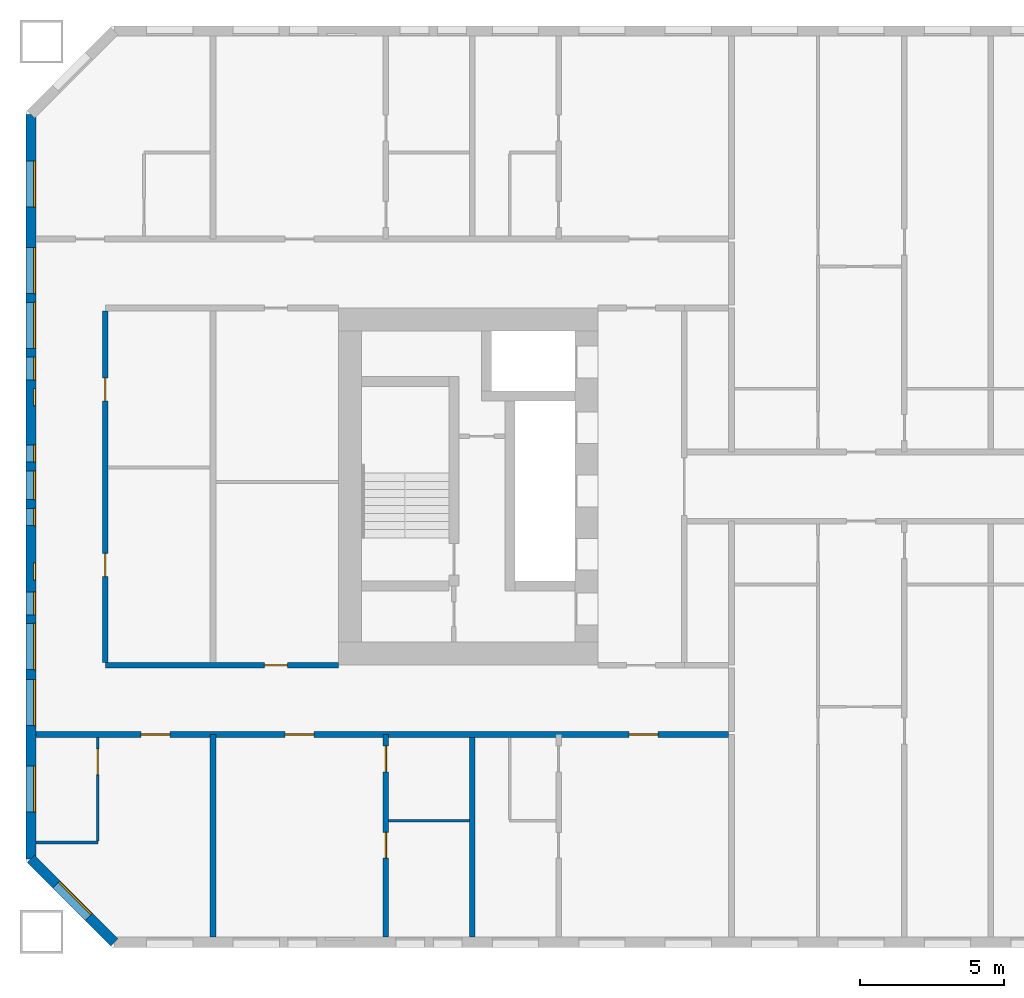
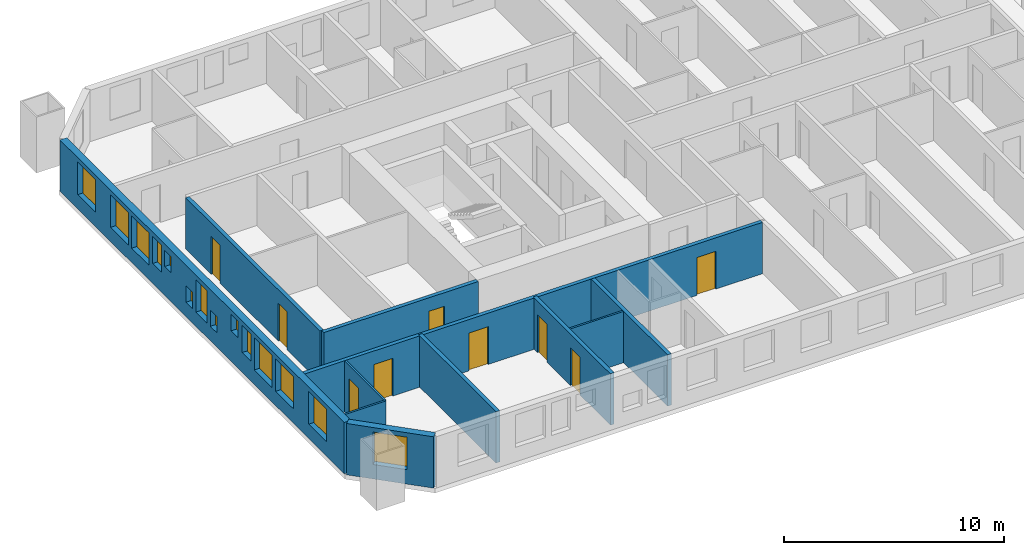
# One storey, part 2 of 17: 14 windows, 11 walls, 9 doors, 23 openings.
"""IFC4 building model written with IfcOpenShell, lengths in metres."""

from ifc_helpers import new_model, si_unit, direction, frame, frame_2d, origin, place, context, subcontext, project, spatial, rectangle, extrude, material, layer, layer_set, type_object, element, fill, save


model = new_model("IFC4")

# Units and contexts
model_context = context("Model", 3, precision=1e-05, world=origin(), true_north=direction((0.0, 1.0)))
body_context = subcontext(model_context, "Body", "Model", "MODEL_VIEW")
ifc_project = project(units=[si_unit("LENGTHUNIT", "METRE"), si_unit("AREAUNIT", "SQUARE_METRE"), si_unit("VOLUMEUNIT", "CUBIC_METRE"), si_unit("PLANEANGLEUNIT", "RADIAN"), si_unit("MASSUNIT", "GRAM", prefix="KILO")], contexts=[model_context])

# Site, building, storey
site_placement = place(None, origin())
site = spatial("IfcSite", under=ifc_project, at=site_placement, CompositionType="ELEMENT")
building_placement = place(site_placement, origin())
building = spatial("IfcBuilding", under=site, at=building_placement, Name="Tuart Gate Housing", CompositionType="ELEMENT")
storey_placement = place(building_placement, frame((0.0, 0.0, 50.5)))
storey = spatial("IfcBuildingStorey", under=building, at=storey_placement, Name="L13", CompositionType="ELEMENT", Elevation=50.5)

# Wall, opening, window
ifc_material_1 = material(Name="Brick", Category="masonry")
ifc_layer_1 = layer(ifc_material_1, 0.360107421875)
ifc_layer_set_1 = layer_set([ifc_layer_1], Name="Brick pier and spandrel wall 360")
wall_type_1 = type_object("IfcWallType", Name="Brick pier and spandrel wall 360", PredefinedType="STANDARD", material=ifc_layer_set_1)
wall_1_placement = place(storey_placement, frame((21.679931640625, 57.07470703125, 0.0), z_axis=(0.0, 0.0, 1.0), x_axis=(0.707106781187, -0.707106781187, 0.0)))
wall_1 = element("IfcWall", 1, at=wall_1_placement, inside=storey, type_object=wall_type_1, Name="External wall A-SW L13", PredefinedType="STANDARD", context=body_context, shape_type="SweptSolid", body=[
    extrude(rectangle(XDim=4.09375, YDim=0.360107421875, at=frame_2d((2.046875, 0.0))), origin(), (0.0, 0.0, 1.0), 2.85009765625),
])
opening_1_placement = place(wall_1_placement, frame((1.2470703125, 0.0, 0.800048828125)))
opening_1 = element("IfcOpeningElement", 2, at=opening_1_placement, cuts=wall_1, Name="Opening W1", PredefinedType="OPENING", context=body_context, shape_type="SweptSolid", body=[
    extrude(rectangle(XDim=1.60009765625, YDim=1.800048828125, at=frame_2d((0.800048828125, 0.89990234375))), frame((0.0, 0.18994140625, 0.0), z_axis=(0.0, -1.0, 0.0), x_axis=(1.0, 0.0, 0.0)), (0.0, 0.0, 1.0), 0.380126953125),
])
ifc_material_2 = material(Name="Aluminium frame with clear glass", Category="aluminium")
window_type_1 = type_object("IfcWindowType", Name="Punched window 1600 x 1800", PartitioningType="SINGLE_PANEL", PredefinedType="WINDOW", material=ifc_material_2)
window_1_placement = place(opening_1_placement, origin())
window_1 = element("IfcWindow", 3, at=window_1_placement, inside=storey, type_object=window_type_1, Name="Window W1", OverallHeight=1.800048828125, OverallWidth=1.60009765625, PartitioningType="SINGLE_PANEL", PredefinedType="WINDOW", context=body_context, shape_type="SweptSolid", body=[
    extrude(rectangle(XDim=1.60009765625, YDim=1.800048828125, at=frame_2d((0.800048828125, 0.89990234375))), frame((0.0, 0.150146484375, 0.0), z_axis=(0.0, -1.0, 0.0), x_axis=(1.0, 0.0, 0.0)), (0.0, 0.0, 1.0), 0.06005859375),
])
fill(opening_1, window_1)

# Wall, openings, windows
wall_2_placement = place(storey_placement, frame((21.679931640625, 82.92529296875, 0.0), z_axis=(0.0, 0.0, 1.0), x_axis=(0.0, -1.0, 0.0)))
wall_2 = element("IfcWall", 4, at=wall_2_placement, inside=storey, type_object=wall_type_1, Name="External wall A-W L13", PredefinedType="STANDARD", context=body_context, shape_type="SweptSolid", body=[
    extrude(rectangle(XDim=25.850830078125, YDim=0.360107421875, at=frame_2d((12.92529296875, 0.0))), origin(), (0.0, 0.0, 1.0), 2.85009765625),
])
opening_2_placement = place(wall_2_placement, frame((1.62548828125, 0.0, 0.800048828125)))
opening_2 = element("IfcOpeningElement", 5, at=opening_2_placement, cuts=wall_2, Name="Opening W1", PredefinedType="OPENING", context=body_context, shape_type="SweptSolid", body=[
    extrude(rectangle(XDim=1.60009765625, YDim=1.800048828125, at=frame_2d((0.800048828125, 0.89990234375))), frame((0.0, 0.18994140625, 0.0), z_axis=(0.0, -1.0, 0.0), x_axis=(1.0, 0.0, 0.0)), (0.0, 0.0, 1.0), 0.380126953125),
])
opening_3_placement = place(wall_2_placement, frame((4.62548828125, 0.0, 0.800048828125)))
opening_3 = element("IfcOpeningElement", 6, at=opening_3_placement, cuts=wall_2, Name="Opening W1", PredefinedType="OPENING", context=body_context, shape_type="SweptSolid", body=[
    extrude(rectangle(XDim=1.60009765625, YDim=1.800048828125, at=frame_2d((0.800048828125, 0.89990234375))), frame((0.0, 0.18994140625, 0.0), z_axis=(0.0, -1.0, 0.0), x_axis=(1.0, 0.0, 0.0)), (0.0, 0.0, 1.0), 0.380126953125),
])
opening_4_placement = place(wall_2_placement, frame((6.525390625, 0.0, 0.800048828125)))
opening_4 = element("IfcOpeningElement", 7, at=opening_4_placement, cuts=wall_2, Name="Opening W1", PredefinedType="OPENING", context=body_context, shape_type="SweptSolid", body=[
    extrude(rectangle(XDim=1.60009765625, YDim=1.800048828125, at=frame_2d((0.800048828125, 0.89990234375))), frame((0.0, 0.18994140625, 0.0), z_axis=(0.0, -1.0, 0.0), x_axis=(1.0, 0.0, 0.0)), (0.0, 0.0, 1.0), 0.380126953125),
])
opening_5_placement = place(wall_2_placement, frame((8.42529296875, 0.0, 1.10009765625)))
opening_5 = element("IfcOpeningElement", 8, at=opening_5_placement, cuts=wall_2, Name="Opening W1J", PredefinedType="OPENING", context=body_context, shape_type="SweptSolid", body=[
    extrude(rectangle(XDim=0.800048828125, YDim=1.5, at=frame_2d((0.39990234375, 0.75))), frame((0.0, 0.18994140625, 0.0), z_axis=(0.0, -1.0, 0.0), x_axis=(1.0, 0.0, 0.0)), (0.0, 0.0, 1.0), 0.380126953125),
])
opening_6_placement = place(wall_2_placement, frame((9.525390625, 0.0, 1.60009765625)))
opening_6 = element("IfcOpeningElement", 9, at=opening_6_placement, cuts=wall_2, Name="Opening W1W", PredefinedType="OPENING", context=body_context, shape_type="SweptSolid", body=[
    extrude(rectangle(XDim=0.60009765625, YDim=0.89990234375, at=frame_2d((0.300048828125, 0.449951171875))), frame((0.0, 0.18994140625, 0.0), z_axis=(0.0, -1.0, 0.0), x_axis=(1.0, 0.0, 0.0)), (0.0, 0.0, 1.0), 0.380126953125),
])
opening_7_placement = place(wall_2_placement, frame((11.475341796875, 0.0, 0.800048828125)))
opening_7 = element("IfcOpeningElement", 10, at=opening_7_placement, cuts=wall_2, Name="Opening W1W", PredefinedType="OPENING", context=body_context, shape_type="SweptSolid", body=[
    extrude(rectangle(XDim=0.60009765625, YDim=0.89990234375, at=frame_2d((0.300048828125, 0.449951171875))), frame((0.0, 0.18994140625, 0.0), z_axis=(0.0, -1.0, 0.0), x_axis=(1.0, 0.0, 0.0)), (0.0, 0.0, 1.0), 0.380126953125),
])
opening_8_placement = place(wall_2_placement, frame((19.62548828125, 0.0, 0.800048828125)))
opening_8 = element("IfcOpeningElement", 11, at=opening_8_placement, cuts=wall_2, Name="Opening W1", PredefinedType="OPENING", context=body_context, shape_type="SweptSolid", body=[
    extrude(rectangle(XDim=1.60009765625, YDim=1.800048828125, at=frame_2d((0.800048828125, 0.89990234375))), frame((0.0, 0.18994140625, 0.0), z_axis=(0.0, -1.0, 0.0), x_axis=(1.0, 0.0, 0.0)), (0.0, 0.0, 1.0), 0.380126953125),
])
opening_9_placement = place(wall_2_placement, frame((22.62548828125, 0.0, 0.800048828125)))
opening_9 = element("IfcOpeningElement", 12, at=opening_9_placement, cuts=wall_2, Name="Opening W1", PredefinedType="OPENING", context=body_context, shape_type="SweptSolid", body=[
    extrude(rectangle(XDim=1.60009765625, YDim=1.800048828125, at=frame_2d((0.800048828125, 0.89990234375))), frame((0.0, 0.18994140625, 0.0), z_axis=(0.0, -1.0, 0.0), x_axis=(1.0, 0.0, 0.0)), (0.0, 0.0, 1.0), 0.380126953125),
])
opening_10_placement = place(wall_2_placement, frame((12.37548828125, 0.0, 0.800048828125)))
opening_10 = element("IfcOpeningElement", 13, at=opening_10_placement, cuts=wall_2, Name="Opening W1C", PredefinedType="OPENING", context=body_context, shape_type="SweptSolid", body=[
    extrude(rectangle(XDim=1.0, YDim=1.800048828125, at=frame_2d((0.5, 0.89990234375))), frame((0.0, 0.18994140625, 0.0), z_axis=(0.0, -1.0, 0.0), x_axis=(1.0, 0.0, 0.0)), (0.0, 0.0, 1.0), 0.380126953125),
])
opening_11_placement = place(wall_2_placement, frame((13.67529296875, 0.0, 0.800048828125)))
opening_11 = element("IfcOpeningElement", 14, at=opening_11_placement, cuts=wall_2, Name="Opening W1W", PredefinedType="OPENING", context=body_context, shape_type="SweptSolid", body=[
    extrude(rectangle(XDim=0.60009765625, YDim=0.89990234375, at=frame_2d((0.300048828125, 0.449951171875))), frame((0.0, 0.18994140625, 0.0), z_axis=(0.0, -1.0, 0.0), x_axis=(1.0, 0.0, 0.0)), (0.0, 0.0, 1.0), 0.380126953125),
])
opening_12_placement = place(wall_2_placement, frame((15.575439453125, 0.0, 1.699951171875)))
opening_12 = element("IfcOpeningElement", 15, at=opening_12_placement, cuts=wall_2, Name="Opening W1W", PredefinedType="OPENING", context=body_context, shape_type="SweptSolid", body=[
    extrude(rectangle(XDim=0.60009765625, YDim=0.89990234375, at=frame_2d((0.300048828125, 0.449951171875))), frame((0.0, 0.18994140625, 0.0), z_axis=(0.0, -1.0, 0.0), x_axis=(1.0, 0.0, 0.0)), (0.0, 0.0, 1.0), 0.380126953125),
])
opening_13_placement = place(wall_2_placement, frame((16.575439453125, 0.0, 1.10009765625)))
opening_13 = element("IfcOpeningElement", 16, at=opening_13_placement, cuts=wall_2, Name="Opening W1J", PredefinedType="OPENING", context=body_context, shape_type="SweptSolid", body=[
    extrude(rectangle(XDim=0.800048828125, YDim=1.5, at=frame_2d((0.39990234375, 0.75))), frame((0.0, 0.18994140625, 0.0), z_axis=(0.0, -1.0, 0.0), x_axis=(1.0, 0.0, 0.0)), (0.0, 0.0, 1.0), 0.380126953125),
])
opening_14_placement = place(wall_2_placement, frame((17.67529296875, 0.0, 0.800048828125)))
opening_14 = element("IfcOpeningElement", 17, at=opening_14_placement, cuts=wall_2, Name="Opening W1", PredefinedType="OPENING", context=body_context, shape_type="SweptSolid", body=[
    extrude(rectangle(XDim=1.60009765625, YDim=1.800048828125, at=frame_2d((0.800048828125, 0.89990234375))), frame((0.0, 0.18994140625, 0.0), z_axis=(0.0, -1.0, 0.0), x_axis=(1.0, 0.0, 0.0)), (0.0, 0.0, 1.0), 0.380126953125),
])
ifc_material_3 = material(Name="Aluminium frame with clear glass", Category="aluminium")
window_type_2 = type_object("IfcWindowType", Name="Punched window 1000 x 1800", PartitioningType="SINGLE_PANEL", PredefinedType="WINDOW", material=ifc_material_3)
window_2_placement = place(opening_10_placement, origin())
window_2 = element("IfcWindow", 18, at=window_2_placement, inside=storey, type_object=window_type_2, Name="Window W1C", OverallHeight=1.800048828125, OverallWidth=1.0, PartitioningType="SINGLE_PANEL", PredefinedType="WINDOW", context=body_context, shape_type="SweptSolid", body=[
    extrude(rectangle(XDim=1.0, YDim=1.800048828125, at=frame_2d((0.5, 0.89990234375))), frame((0.0, 0.150146484375, 0.0), z_axis=(0.0, -1.0, 0.0), x_axis=(1.0, 0.0, 0.0)), (0.0, 0.0, 1.0), 0.06005859375),
])
fill(opening_10, window_2)
window_3_placement = place(opening_2_placement, origin())
window_3 = element("IfcWindow", 19, at=window_3_placement, inside=storey, type_object=window_type_1, Name="Window W1", OverallHeight=1.800048828125, OverallWidth=1.60009765625, PartitioningType="SINGLE_PANEL", PredefinedType="WINDOW", context=body_context, shape_type="SweptSolid", body=[
    extrude(rectangle(XDim=1.60009765625, YDim=1.800048828125, at=frame_2d((0.800048828125, 0.89990234375))), frame((0.0, 0.150146484375, 0.0), z_axis=(0.0, -1.0, 0.0), x_axis=(1.0, 0.0, 0.0)), (0.0, 0.0, 1.0), 0.06005859375),
])
fill(opening_2, window_3)
window_4_placement = place(opening_3_placement, origin())
window_4 = element("IfcWindow", 20, at=window_4_placement, inside=storey, type_object=window_type_1, Name="Window W1", OverallHeight=1.800048828125, OverallWidth=1.60009765625, PartitioningType="SINGLE_PANEL", PredefinedType="WINDOW", context=body_context, shape_type="SweptSolid", body=[
    extrude(rectangle(XDim=1.60009765625, YDim=1.800048828125, at=frame_2d((0.800048828125, 0.89990234375))), frame((0.0, 0.150146484375, 0.0), z_axis=(0.0, -1.0, 0.0), x_axis=(1.0, 0.0, 0.0)), (0.0, 0.0, 1.0), 0.06005859375),
])
fill(opening_3, window_4)
window_5_placement = place(opening_4_placement, origin())
window_5 = element("IfcWindow", 21, at=window_5_placement, inside=storey, type_object=window_type_1, Name="Window W1", OverallHeight=1.800048828125, OverallWidth=1.60009765625, PartitioningType="SINGLE_PANEL", PredefinedType="WINDOW", context=body_context, shape_type="SweptSolid", body=[
    extrude(rectangle(XDim=1.60009765625, YDim=1.800048828125, at=frame_2d((0.800048828125, 0.89990234375))), frame((0.0, 0.150146484375, 0.0), z_axis=(0.0, -1.0, 0.0), x_axis=(1.0, 0.0, 0.0)), (0.0, 0.0, 1.0), 0.06005859375),
])
fill(opening_4, window_5)
window_6_placement = place(opening_8_placement, origin())
window_6 = element("IfcWindow", 22, at=window_6_placement, inside=storey, type_object=window_type_1, Name="Window W1", OverallHeight=1.800048828125, OverallWidth=1.60009765625, PartitioningType="SINGLE_PANEL", PredefinedType="WINDOW", context=body_context, shape_type="SweptSolid", body=[
    extrude(rectangle(XDim=1.60009765625, YDim=1.800048828125, at=frame_2d((0.800048828125, 0.89990234375))), frame((0.0, 0.150146484375, 0.0), z_axis=(0.0, -1.0, 0.0), x_axis=(1.0, 0.0, 0.0)), (0.0, 0.0, 1.0), 0.06005859375),
])
fill(opening_8, window_6)
window_7_placement = place(opening_9_placement, origin())
window_7 = element("IfcWindow", 23, at=window_7_placement, inside=storey, type_object=window_type_1, Name="Window W1", OverallHeight=1.800048828125, OverallWidth=1.60009765625, PartitioningType="SINGLE_PANEL", PredefinedType="WINDOW", context=body_context, shape_type="SweptSolid", body=[
    extrude(rectangle(XDim=1.60009765625, YDim=1.800048828125, at=frame_2d((0.800048828125, 0.89990234375))), frame((0.0, 0.150146484375, 0.0), z_axis=(0.0, -1.0, 0.0), x_axis=(1.0, 0.0, 0.0)), (0.0, 0.0, 1.0), 0.06005859375),
])
fill(opening_9, window_7)
window_8_placement = place(opening_14_placement, origin())
window_8 = element("IfcWindow", 24, at=window_8_placement, inside=storey, type_object=window_type_1, Name="Window W1", OverallHeight=1.800048828125, OverallWidth=1.60009765625, PartitioningType="SINGLE_PANEL", PredefinedType="WINDOW", context=body_context, shape_type="SweptSolid", body=[
    extrude(rectangle(XDim=1.60009765625, YDim=1.800048828125, at=frame_2d((0.800048828125, 0.89990234375))), frame((0.0, 0.150146484375, 0.0), z_axis=(0.0, -1.0, 0.0), x_axis=(1.0, 0.0, 0.0)), (0.0, 0.0, 1.0), 0.06005859375),
])
fill(opening_14, window_8)
ifc_material_4 = material(Name="Aluminium frame with clear glass", Category="aluminium")
window_type_3 = type_object("IfcWindowType", Name="Punched window 600 x 900", PartitioningType="SINGLE_PANEL", PredefinedType="WINDOW", material=ifc_material_4)
window_9_placement = place(opening_6_placement, origin())
window_9 = element("IfcWindow", 25, at=window_9_placement, inside=storey, type_object=window_type_3, Name="Window W1W", OverallHeight=0.89990234375, OverallWidth=0.60009765625, PartitioningType="SINGLE_PANEL", PredefinedType="WINDOW", context=body_context, shape_type="SweptSolid", body=[
    extrude(rectangle(XDim=0.60009765625, YDim=0.89990234375, at=frame_2d((0.300048828125, 0.449951171875))), frame((0.0, 0.150146484375, 0.0), z_axis=(0.0, -1.0, 0.0), x_axis=(1.0, 0.0, 0.0)), (0.0, 0.0, 1.0), 0.06005859375),
])
fill(opening_6, window_9)
window_10_placement = place(opening_7_placement, origin())
window_10 = element("IfcWindow", 26, at=window_10_placement, inside=storey, type_object=window_type_3, Name="Window W1W", OverallHeight=0.89990234375, OverallWidth=0.60009765625, PartitioningType="SINGLE_PANEL", PredefinedType="WINDOW", context=body_context, shape_type="SweptSolid", body=[
    extrude(rectangle(XDim=0.60009765625, YDim=0.89990234375, at=frame_2d((0.300048828125, 0.449951171875))), frame((0.0, 0.150146484375, 0.0), z_axis=(0.0, -1.0, 0.0), x_axis=(1.0, 0.0, 0.0)), (0.0, 0.0, 1.0), 0.06005859375),
])
fill(opening_7, window_10)
window_11_placement = place(opening_11_placement, origin())
window_11 = element("IfcWindow", 27, at=window_11_placement, inside=storey, type_object=window_type_3, Name="Window W1W", OverallHeight=0.89990234375, OverallWidth=0.60009765625, PartitioningType="SINGLE_PANEL", PredefinedType="WINDOW", context=body_context, shape_type="SweptSolid", body=[
    extrude(rectangle(XDim=0.60009765625, YDim=0.89990234375, at=frame_2d((0.300048828125, 0.449951171875))), frame((0.0, 0.150146484375, 0.0), z_axis=(0.0, -1.0, 0.0), x_axis=(1.0, 0.0, 0.0)), (0.0, 0.0, 1.0), 0.06005859375),
])
fill(opening_11, window_11)
window_12_placement = place(opening_12_placement, origin())
window_12 = element("IfcWindow", 28, at=window_12_placement, inside=storey, type_object=window_type_3, Name="Window W1W", OverallHeight=0.89990234375, OverallWidth=0.60009765625, PartitioningType="SINGLE_PANEL", PredefinedType="WINDOW", context=body_context, shape_type="SweptSolid", body=[
    extrude(rectangle(XDim=0.60009765625, YDim=0.89990234375, at=frame_2d((0.300048828125, 0.449951171875))), frame((0.0, 0.150146484375, 0.0), z_axis=(0.0, -1.0, 0.0), x_axis=(1.0, 0.0, 0.0)), (0.0, 0.0, 1.0), 0.06005859375),
])
fill(opening_12, window_12)
ifc_material_5 = material(Name="Aluminium frame with clear glass", Category="aluminium")
window_type_4 = type_object("IfcWindowType", Name="Punched window 800 x 1500", PartitioningType="SINGLE_PANEL", PredefinedType="WINDOW", material=ifc_material_5)
window_13_placement = place(opening_5_placement, origin())
window_13 = element("IfcWindow", 29, at=window_13_placement, inside=storey, type_object=window_type_4, Name="Window W1J", OverallHeight=1.5, OverallWidth=0.800048828125, PartitioningType="SINGLE_PANEL", PredefinedType="WINDOW", context=body_context, shape_type="SweptSolid", body=[
    extrude(rectangle(XDim=0.800048828125, YDim=1.5, at=frame_2d((0.39990234375, 0.75))), frame((0.0, 0.150146484375, 0.0), z_axis=(0.0, -1.0, 0.0), x_axis=(1.0, 0.0, 0.0)), (0.0, 0.0, 1.0), 0.06005859375),
])
fill(opening_5, window_13)
window_14_placement = place(opening_13_placement, origin())
window_14 = element("IfcWindow", 30, at=window_14_placement, inside=storey, type_object=window_type_4, Name="Window W1J", OverallHeight=1.5, OverallWidth=0.800048828125, PartitioningType="SINGLE_PANEL", PredefinedType="WINDOW", context=body_context, shape_type="SweptSolid", body=[
    extrude(rectangle(XDim=0.800048828125, YDim=1.5, at=frame_2d((0.39990234375, 0.75))), frame((0.0, 0.150146484375, 0.0), z_axis=(0.0, -1.0, 0.0), x_axis=(1.0, 0.0, 0.0)), (0.0, 0.0, 1.0), 0.06005859375),
])
fill(opening_13, window_14)

# Wall, openings, doors
ifc_material_6 = material(Name="Concrete masonry 15 MPa", Category="masonry")
ifc_layer_2 = layer(ifc_material_6, 0.199951171875)
ifc_layer_set_2 = layer_set([ifc_layer_2], Name="Corridor wall masonry 200")
wall_type_2 = type_object("IfcWallType", Name="Corridor wall masonry 200", PredefinedType="PARTITIONING", material=ifc_layer_set_2)
wall_3_placement = place(storey_placement, frame((21.860107421875, 61.39990234375, 0.0), z_axis=(0.0, 0.0, 1.0), x_axis=(1.0, 0.0, 0.0)))
wall_3 = element("IfcWall", 31, at=wall_3_placement, inside=storey, type_object=wall_type_2, Name="Corridor wall masonry 200", PredefinedType="PARTITIONING", context=body_context, shape_type="SweptSolid", body=[
    extrude(rectangle(XDim=24.039794921875, YDim=0.199951171875, at=frame_2d((12.02001953125, 0.0))), origin(), (0.0, 0.0, 1.0), 2.85009765625),
])
opening_15_placement = place(wall_3_placement, frame((20.590087890625, 0.0, 0.0)))
opening_15 = element("IfcOpeningElement", 32, at=opening_15_placement, cuts=wall_3, Name="Opening D644", PredefinedType="OPENING", context=body_context, shape_type="SweptSolid", body=[
    extrude(rectangle(XDim=1.0, YDim=2.10009765625, at=frame_2d((0.5, 1.050048828125))), frame((0.0, 0.10986328125, 0.0), z_axis=(0.0, -1.0, 0.0), x_axis=(1.0, 0.0, 0.0)), (0.0, 0.0, 1.0), 0.219970703125),
])
opening_16_placement = place(wall_3_placement, frame((8.639892578125, 0.0, 0.0)))
opening_16 = element("IfcOpeningElement", 33, at=opening_16_placement, cuts=wall_3, Name="Opening D645", PredefinedType="OPENING", context=body_context, shape_type="SweptSolid", body=[
    extrude(rectangle(XDim=1.0, YDim=2.10009765625, at=frame_2d((0.5, 1.050048828125))), frame((0.0, 0.10986328125, 0.0), z_axis=(0.0, -1.0, 0.0), x_axis=(1.0, 0.0, 0.0)), (0.0, 0.0, 1.0), 0.219970703125),
])
opening_17_placement = place(wall_3_placement, frame((3.639892578125, 0.0, 0.0)))
opening_17 = element("IfcOpeningElement", 34, at=opening_17_placement, cuts=wall_3, Name="Opening D646", PredefinedType="OPENING", context=body_context, shape_type="SweptSolid", body=[
    extrude(rectangle(XDim=1.0, YDim=2.10009765625, at=frame_2d((0.5, 1.050048828125))), frame((0.0, 0.10986328125, 0.0), z_axis=(0.0, -1.0, 0.0), x_axis=(1.0, 0.0, 0.0)), (0.0, 0.0, 1.0), 0.219970703125),
])
ifc_material_7 = material(Name="Timber door leaf in steel frame", Category="steel")
door_type_1 = type_object("IfcDoorType", Name="Flat entrance door 1000 RH", OperationType="SINGLE_SWING_RIGHT", PredefinedType="DOOR", material=ifc_material_7)
door_1_placement = place(opening_15_placement, frame((1.0, 0.0, 0.0), z_axis=(0.0, 0.0, 1.0), x_axis=(-1.0, 0.0, 0.0)))
door_1 = element("IfcDoor", 35, at=door_1_placement, inside=storey, type_object=door_type_1, Name="Flat entrance door", OperationType="SINGLE_SWING_RIGHT", OverallHeight=2.10009765625, OverallWidth=1.0, PredefinedType="DOOR", context=body_context, shape_type="SweptSolid", body=[
    extrude(rectangle(XDim=1.0, YDim=2.10009765625, at=frame_2d((0.5, 1.050048828125))), frame((0.0, 0.025146484375, 0.0), z_axis=(0.0, -1.0, 0.0), x_axis=(1.0, 0.0, 0.0)), (0.0, 0.0, 1.0), 0.050048828125),
])
fill(opening_15, door_1)
door_2_placement = place(opening_16_placement, frame((1.0, 0.0, 0.0), z_axis=(0.0, 0.0, 1.0), x_axis=(-1.0, 0.0, 0.0)))
door_2 = element("IfcDoor", 36, at=door_2_placement, inside=storey, type_object=door_type_1, Name="Flat entrance door", OperationType="SINGLE_SWING_RIGHT", OverallHeight=2.10009765625, OverallWidth=1.0, PredefinedType="DOOR", context=body_context, shape_type="SweptSolid", body=[
    extrude(rectangle(XDim=1.0, YDim=2.10009765625, at=frame_2d((0.5, 1.050048828125))), frame((0.0, 0.025146484375, 0.0), z_axis=(0.0, -1.0, 0.0), x_axis=(1.0, 0.0, 0.0)), (0.0, 0.0, 1.0), 0.050048828125),
])
fill(opening_16, door_2)
door_3_placement = place(opening_17_placement, frame((1.0, 0.0, 0.0), z_axis=(0.0, 0.0, 1.0), x_axis=(-1.0, 0.0, 0.0)))
door_3 = element("IfcDoor", 37, at=door_3_placement, inside=storey, type_object=door_type_1, Name="Flat entrance door", OperationType="SINGLE_SWING_RIGHT", OverallHeight=2.10009765625, OverallWidth=1.0, PredefinedType="DOOR", context=body_context, shape_type="SweptSolid", body=[
    extrude(rectangle(XDim=1.0, YDim=2.10009765625, at=frame_2d((0.5, 1.050048828125))), frame((0.0, 0.025146484375, 0.0), z_axis=(0.0, -1.0, 0.0), x_axis=(1.0, 0.0, 0.0)), (0.0, 0.0, 1.0), 0.050048828125),
])
fill(opening_17, door_3)

# Wall, opening, door
wall_4_placement = place(storey_placement, frame((24.260009765625, 63.800048828125, 0.0), z_axis=(0.0, 0.0, 1.0), x_axis=(1.0, 0.0, 0.0)))
wall_4 = element("IfcWall", 38, at=wall_4_placement, inside=storey, type_object=wall_type_2, Name="Corridor wall masonry 200", PredefinedType="PARTITIONING", context=body_context, shape_type="SweptSolid", body=[
    extrude(rectangle(XDim=8.10009765625, YDim=0.199951171875, at=frame_2d((4.050048828125, 0.0))), origin(), (0.0, 0.0, 1.0), 2.85009765625),
])
opening_18_placement = place(wall_4_placement, frame((5.52001953125, 0.0, 0.0)))
opening_18 = element("IfcOpeningElement", 39, at=opening_18_placement, cuts=wall_4, Name="Opening D631", PredefinedType="OPENING", context=body_context, shape_type="SweptSolid", body=[
    extrude(rectangle(XDim=0.800048828125, YDim=2.10009765625, at=frame_2d((0.39990234375, 1.050048828125))), frame((0.0, 0.10986328125, 0.0), z_axis=(0.0, -1.0, 0.0), x_axis=(1.0, 0.0, 0.0)), (0.0, 0.0, 1.0), 0.219970703125),
])
ifc_material_8 = material(Name="Timber door leaf in steel frame", Category="steel")
door_type_2 = type_object("IfcDoorType", Name="Store door 800", OperationType="SINGLE_SWING_LEFT", PredefinedType="DOOR", material=ifc_material_8)
door_4_placement = place(opening_18_placement, origin())
door_4 = element("IfcDoor", 40, at=door_4_placement, inside=storey, type_object=door_type_2, Name="Store door", OperationType="SINGLE_SWING_LEFT", OverallHeight=2.10009765625, OverallWidth=0.800048828125, PredefinedType="DOOR", context=body_context, shape_type="SweptSolid", body=[
    extrude(rectangle(XDim=0.800048828125, YDim=2.10009765625, at=frame_2d((0.39990234375, 1.050048828125))), frame((0.0, 0.02490234375, 0.0), z_axis=(0.0, -1.0, 0.0), x_axis=(1.0, 0.0, 0.0)), (0.0, 0.0, 1.0), 0.050048828125),
])
fill(opening_18, door_4)

# Wall, openings, doors
wall_5_placement = place(storey_placement, frame((24.260009765625, 63.89990234375, 0.0), z_axis=(0.0, 0.0, 1.0), x_axis=(0.0, 1.0, 0.0)))
wall_5 = element("IfcWall", 41, at=wall_5_placement, inside=storey, type_object=wall_type_2, Name="Corridor wall masonry 200", PredefinedType="PARTITIONING", context=body_context, shape_type="SweptSolid", body=[
    extrude(rectangle(XDim=12.2001953125, YDim=0.199951171875, at=frame_2d((6.10009765625, 0.0))), origin(), (0.0, 0.0, 1.0), 2.85009765625),
])
opening_19_placement = place(wall_5_placement, frame((2.97998046875, 0.0, 0.0)))
opening_19 = element("IfcOpeningElement", 42, at=opening_19_placement, cuts=wall_5, Name="Opening D620", PredefinedType="OPENING", context=body_context, shape_type="SweptSolid", body=[
    extrude(rectangle(XDim=0.800048828125, YDim=2.10009765625, at=frame_2d((0.39990234375, 1.050048828125))), frame((0.0, 0.10986328125, 0.0), z_axis=(0.0, -1.0, 0.0), x_axis=(1.0, 0.0, 0.0)), (0.0, 0.0, 1.0), 0.219970703125),
])
opening_20_placement = place(wall_5_placement, frame((9.080078125, 0.0, 0.0)))
opening_20 = element("IfcOpeningElement", 43, at=opening_20_placement, cuts=wall_5, Name="Opening D621", PredefinedType="OPENING", context=body_context, shape_type="SweptSolid", body=[
    extrude(rectangle(XDim=0.800048828125, YDim=2.10009765625, at=frame_2d((0.39990234375, 1.050048828125))), frame((0.0, 0.10986328125, 0.0), z_axis=(0.0, -1.0, 0.0), x_axis=(1.0, 0.0, 0.0)), (0.0, 0.0, 1.0), 0.219970703125),
])
door_5_placement = place(opening_19_placement, frame((0.800048828125, 0.0, 0.0), z_axis=(0.0, 0.0, 1.0), x_axis=(-1.0, 0.0, 0.0)))
door_5 = element("IfcDoor", 44, at=door_5_placement, inside=storey, type_object=door_type_2, Name="Store door", OperationType="SINGLE_SWING_LEFT", OverallHeight=2.10009765625, OverallWidth=0.800048828125, PredefinedType="DOOR", context=body_context, shape_type="SweptSolid", body=[
    extrude(rectangle(XDim=0.800048828125, YDim=2.10009765625, at=frame_2d((0.400146484375, 1.050048828125))), frame((0.0, 0.025146484375, 0.0), z_axis=(0.0, -1.0, 0.0), x_axis=(1.0, 0.0, 0.0)), (0.0, 0.0, 1.0), 0.050048828125),
])
fill(opening_19, door_5)
ifc_material_9 = material(Name="Timber door leaf in steel frame", Category="steel")
door_type_3 = type_object("IfcDoorType", Name="Store door 800 RH", OperationType="SINGLE_SWING_RIGHT", PredefinedType="DOOR", material=ifc_material_9)
door_6_placement = place(opening_20_placement, frame((0.800048828125, 0.0, 0.0), z_axis=(0.0, 0.0, 1.0), x_axis=(-1.0, 0.0, 0.0)))
door_6 = element("IfcDoor", 45, at=door_6_placement, inside=storey, type_object=door_type_3, Name="Store door", OperationType="SINGLE_SWING_RIGHT", OverallHeight=2.10009765625, OverallWidth=0.800048828125, PredefinedType="DOOR", context=body_context, shape_type="SweptSolid", body=[
    extrude(rectangle(XDim=0.800048828125, YDim=2.10009765625, at=frame_2d((0.400146484375, 1.050048828125))), frame((0.0, 0.025146484375, 0.0), z_axis=(0.0, -1.0, 0.0), x_axis=(1.0, 0.0, 0.0)), (0.0, 0.0, 1.0), 0.050048828125),
])
fill(opening_20, door_6)

# Walls
ifc_material_10 = material(Name="Gypsum board on steel studs", Category="steel")
ifc_layer_3 = layer(ifc_material_10, 0.10009765625)
ifc_layer_set_3 = layer_set([ifc_layer_3], Name="Partition 100")
wall_type_3 = type_object("IfcWallType", Name="Partition 100", PredefinedType="PARTITIONING", material=ifc_layer_set_3)
wall_6_placement = place(storey_placement, frame((21.860107421875, 57.64990234375, 0.0), z_axis=(0.0, 0.0, 1.0), x_axis=(1.0, 0.0, 0.0)))
element("IfcWall", 46, at=wall_6_placement, inside=storey, type_object=wall_type_3, Name="Partition 100", PredefinedType="PARTITIONING", context=body_context, shape_type="SweptSolid", body=[
    extrude(rectangle(XDim=2.139892578125, YDim=0.10009765625, at=frame_2d((1.06982421875, 0.0))), origin(), (0.0, 0.0, 1.0), 2.85009765625),
])
wall_7_placement = place(storey_placement, frame((34.10009765625, 58.39990234375, 0.0), z_axis=(0.0, 0.0, 1.0), x_axis=(1.0, 0.0, 0.0)))
element("IfcWall", 47, at=wall_7_placement, inside=storey, type_object=wall_type_3, Name="Partition 100", PredefinedType="PARTITIONING", context=body_context, shape_type="SweptSolid", body=[
    extrude(rectangle(XDim=2.7998046875, YDim=0.10009765625, at=frame_2d((1.39990234375, 0.0))), origin(), (0.0, 0.0, 1.0), 2.85009765625),
])

# Wall, opening, door
wall_8_placement = place(storey_placement, frame((24.0, 57.699951171875, 0.0), z_axis=(0.0, 0.0, 1.0), x_axis=(0.0, 1.0, 0.0)))
wall_8 = element("IfcWall", 48, at=wall_8_placement, inside=storey, type_object=wall_type_3, Name="Partition 100", PredefinedType="PARTITIONING", context=body_context, shape_type="SweptSolid", body=[
    extrude(rectangle(XDim=3.60009765625, YDim=0.10009765625, at=frame_2d((1.800048828125, 0.0))), origin(), (0.0, 0.0, 1.0), 2.85009765625),
])
opening_21_placement = place(wall_8_placement, frame((2.300048828125, 0.0, 0.0)))
opening_21 = element("IfcOpeningElement", 49, at=opening_21_placement, cuts=wall_8, Name="Opening D649", PredefinedType="OPENING", context=body_context, shape_type="SweptSolid", body=[
    extrude(rectangle(XDim=0.89990234375, YDim=2.10009765625, at=frame_2d((0.449951171875, 1.050048828125))), frame((0.0, 0.06005859375, 0.0), z_axis=(0.0, -1.0, 0.0), x_axis=(1.0, 0.0, 0.0)), (0.0, 0.0, 1.0), 0.1201171875),
])
ifc_material_11 = material(Name="Timber door leaf in steel frame", Category="steel")
door_type_4 = type_object("IfcDoorType", Name="Bathroom door 900 RH", OperationType="SINGLE_SWING_RIGHT", PredefinedType="DOOR", material=ifc_material_11)
door_7_placement = place(opening_21_placement, origin())
door_7 = element("IfcDoor", 50, at=door_7_placement, inside=storey, type_object=door_type_4, Name="Bathroom door", OperationType="SINGLE_SWING_RIGHT", OverallHeight=2.10009765625, OverallWidth=0.89990234375, PredefinedType="DOOR", context=body_context, shape_type="SweptSolid", body=[
    extrude(rectangle(XDim=0.89990234375, YDim=2.10009765625, at=frame_2d((0.449951171875, 1.050048828125))), frame((0.0, 0.02490234375, 0.0), z_axis=(0.0, -1.0, 0.0), x_axis=(1.0, 0.0, 0.0)), (0.0, 0.0, 1.0), 0.050048828125),
])
fill(opening_21, door_7)

# Wall
ifc_material_12 = material(Name="Concrete C40", Category="concrete")
ifc_layer_4 = layer(ifc_material_12, 0.199951171875)
ifc_layer_set_4 = layer_set([ifc_layer_4], Name="Party wall concrete C40 200")
wall_type_4 = type_object("IfcWallType", Name="Party wall concrete C40 200", PredefinedType="SOLIDWALL", material=ifc_layer_set_4)
wall_9_placement = place(storey_placement, frame((28.0, 54.360107421875, 0.0), z_axis=(0.0, 0.0, 1.0), x_axis=(0.0, 1.0, 0.0)))
element("IfcWall", 51, at=wall_9_placement, inside=storey, type_object=wall_type_4, Name="Party wall concrete C40 200", PredefinedType="SOLIDWALL", context=body_context, shape_type="SweptSolid", body=[
    extrude(rectangle(XDim=7.039794921875, YDim=0.199951171875, at=frame_2d((3.52001953125, 0.0))), origin(), (0.0, 0.0, 1.0), 2.85009765625),
])

# Wall, openings, doors
wall_10_placement = place(storey_placement, frame((34.0, 54.360107421875, 0.0), z_axis=(0.0, 0.0, 1.0), x_axis=(0.0, 1.0, 0.0)))
wall_10 = element("IfcWall", 52, at=wall_10_placement, inside=storey, type_object=wall_type_4, Name="Party wall concrete C40 200", PredefinedType="SOLIDWALL", context=body_context, shape_type="SweptSolid", body=[
    extrude(rectangle(XDim=7.039794921875, YDim=0.199951171875, at=frame_2d((3.52001953125, 0.0))), origin(), (0.0, 0.0, 1.0), 2.85009765625),
])
opening_22_placement = place(wall_10_placement, frame((2.739990234375, 0.0, 0.0)))
opening_22 = element("IfcOpeningElement", 53, at=opening_22_placement, cuts=wall_10, Name="Opening D653", PredefinedType="OPENING", context=body_context, shape_type="SweptSolid", body=[
    extrude(rectangle(XDim=0.89990234375, YDim=2.10009765625, at=frame_2d((0.449951171875, 1.050048828125))), frame((0.0, 0.10986328125, 0.0), z_axis=(0.0, -1.0, 0.0), x_axis=(1.0, 0.0, 0.0)), (0.0, 0.0, 1.0), 0.219970703125),
])
opening_23_placement = place(wall_10_placement, frame((5.739990234375, 0.0, 0.0)))
opening_23 = element("IfcOpeningElement", 54, at=opening_23_placement, cuts=wall_10, Name="Opening D652", PredefinedType="OPENING", context=body_context, shape_type="SweptSolid", body=[
    extrude(rectangle(XDim=0.89990234375, YDim=2.10009765625, at=frame_2d((0.449951171875, 1.050048828125))), frame((0.0, 0.10986328125, 0.0), z_axis=(0.0, -1.0, 0.0), x_axis=(1.0, 0.0, 0.0)), (0.0, 0.0, 1.0), 0.219970703125),
])
ifc_material_13 = material(Name="Timber door leaf in steel frame", Category="steel")
door_type_5 = type_object("IfcDoorType", Name="Bathroom door 900", OperationType="SINGLE_SWING_LEFT", PredefinedType="DOOR", material=ifc_material_13)
door_8_placement = place(opening_23_placement, frame((0.89990234375, 0.0, 0.0), z_axis=(0.0, 0.0, 1.0), x_axis=(-1.0, 0.0, 0.0)))
door_8 = element("IfcDoor", 55, at=door_8_placement, inside=storey, type_object=door_type_5, Name="Bathroom door", OperationType="SINGLE_SWING_LEFT", OverallHeight=2.10009765625, OverallWidth=0.89990234375, PredefinedType="DOOR", context=body_context, shape_type="SweptSolid", body=[
    extrude(rectangle(XDim=0.89990234375, YDim=2.10009765625, at=frame_2d((0.449951171875, 1.050048828125))), frame((0.0, 0.025146484375, 0.0), z_axis=(0.0, -1.0, 0.0), x_axis=(1.0, 0.0, 0.0)), (0.0, 0.0, 1.0), 0.050048828125),
])
fill(opening_23, door_8)
ifc_material_14 = material(Name="Timber door leaf in steel frame", Category="steel")
door_type_6 = type_object("IfcDoorType", Name="Internal door 900", OperationType="SINGLE_SWING_LEFT", PredefinedType="DOOR", material=ifc_material_14)
door_9_placement = place(opening_22_placement, frame((0.89990234375, 0.0, 0.0), z_axis=(0.0, 0.0, 1.0), x_axis=(-1.0, 0.0, 0.0)))
door_9 = element("IfcDoor", 56, at=door_9_placement, inside=storey, type_object=door_type_6, Name="Internal door", OperationType="SINGLE_SWING_LEFT", OverallHeight=2.10009765625, OverallWidth=0.89990234375, PredefinedType="DOOR", context=body_context, shape_type="SweptSolid", body=[
    extrude(rectangle(XDim=0.89990234375, YDim=2.10009765625, at=frame_2d((0.449951171875, 1.050048828125))), frame((0.0, 0.025146484375, 0.0), z_axis=(0.0, -1.0, 0.0), x_axis=(1.0, 0.0, 0.0)), (0.0, 0.0, 1.0), 0.050048828125),
])
fill(opening_22, door_9)

# Wall
ifc_material_15 = material(Name="Concrete masonry 15 MPa", Category="masonry")
ifc_layer_5 = layer(ifc_material_15, 0.199951171875)
ifc_layer_set_5 = layer_set([ifc_layer_5], Name="Party wall masonry 200")
wall_type_5 = type_object("IfcWallType", Name="Party wall masonry 200", PredefinedType="PARTITIONING", material=ifc_layer_set_5)
wall_11_placement = place(storey_placement, frame((37.0, 54.360107421875, 0.0), z_axis=(0.0, 0.0, 1.0), x_axis=(0.0, 1.0, 0.0)))
element("IfcWall", 57, at=wall_11_placement, inside=storey, type_object=wall_type_5, Name="Party wall masonry 200", PredefinedType="PARTITIONING", context=body_context, shape_type="SweptSolid", body=[
    extrude(rectangle(XDim=6.93994140625, YDim=0.199951171875, at=frame_2d((3.469970703125, 0.0))), origin(), (0.0, 0.0, 1.0), 2.85009765625),
])

save(model, "model.ifc")
